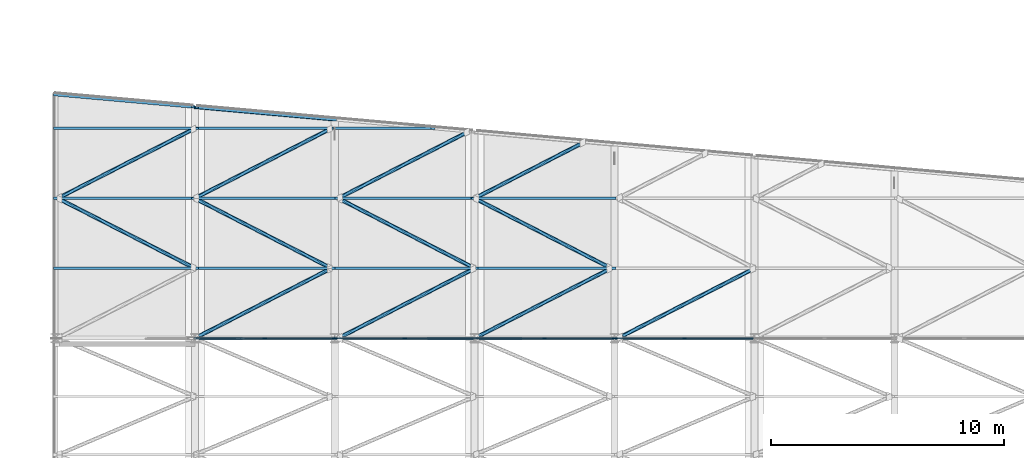
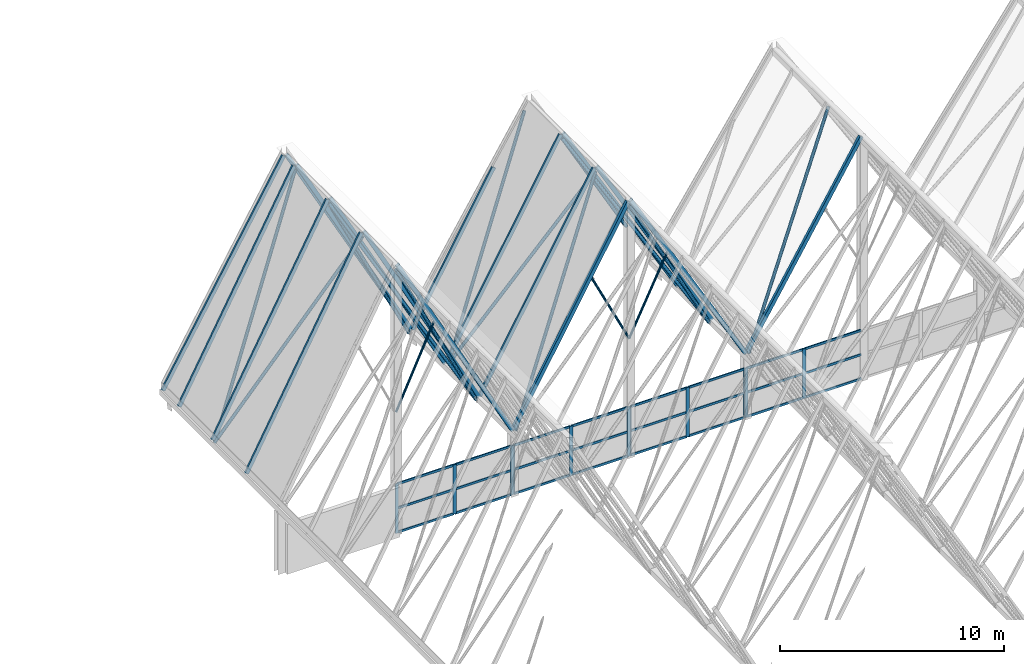
# One storey, part 20 of 483: 61 members, 6 beams, 4 elements without a shape of their own.
"""IFC4 building model written with IfcOpenShell, lengths in metres."""

import ifcopenshell
import ifcopenshell.guid

model = None  # the IFC model being written
_history = None  # IfcOwnerHistory: only IFC2X3 demands one
_inside = {}  # id of a spatial element -> (the spatial element, [elements in it])
_under = {}  # id of a project, library or spatial element -> (it, [spatial elements below it])
_declared = {}  # id of a project -> (the project, [libraries it declares])
_typed = {}  # id of a type object -> (the type object, [elements of that type])
_made_of = {}  # id of a material, layer set ... -> (it, [elements and type objects made of it])


def new_model(schema):
    """Start an empty IFC model of exactly this schema.

    Asked for "IFC4X3", IfcOpenShell would pick the latest addendum, in which some entities
    have other attributes; the version numbers below select the first issue.
    IFC2X3 requires an IfcOwnerHistory on every rooted entity: one is made here for all.
    """
    global model, _history
    if schema == "IFC4X3":
        model = ifcopenshell.file(schema_version=(4, 3, 0, 0))
    else:
        model = ifcopenshell.file(schema=schema)
    _inside.clear()
    _under.clear()
    _declared.clear()
    _typed.clear()
    _made_of.clear()
    _history = None
    if model.schema == "IFC2X3":
        org = make("IfcOrganization", Name="unknown")
        user = make(
            "IfcPersonAndOrganization",
            ThePerson=make("IfcPerson", FamilyName="unknown"),
            TheOrganization=org,
        )
        app = make(
            "IfcApplication",
            ApplicationDeveloper=org,
            Version="unknown",
            ApplicationFullName="unknown",
            ApplicationIdentifier="unknown",
        )
        _history = make(
            "IfcOwnerHistory",
            OwningUser=user,
            OwningApplication=app,
            ChangeAction="ADDED",
            CreationDate=0,
        )
    return model


def make(cls, **values):
    """One entity of the class cls with the attributes given. An attribute that is None is left unset."""
    return model.create_entity(
        cls, **{name: value for name, value in values.items() if value is not None}
    )


def rooted(cls, **values):
    """An entity with a GlobalId (a new one), such as an element, a storey or a relation."""
    return make(cls, GlobalId=ifcopenshell.guid.new(), OwnerHistory=_history, **values)


def si_unit(unit_type, name, prefix=None):
    """IfcSIUnit, for example si_unit("LENGTHUNIT", "METRE", prefix="MILLI")."""
    return make("IfcSIUnit", UnitType=unit_type, Prefix=prefix, Name=name)


def assignment(units):
    """IfcUnitAssignment: the units of a project."""
    return None if units is None else make("IfcUnitAssignment", Units=units)


def point(xyz):
    """IfcCartesianPoint."""
    return None if xyz is None else make("IfcCartesianPoint", Coordinates=xyz)


def direction(xyz):
    """IfcDirection."""
    return None if xyz is None else make("IfcDirection", DirectionRatios=xyz)


def frame(location, z_axis=None, x_axis=None):
    """IfcAxis2Placement3D, a coordinate frame: its origin and axes. An axis left out is left unset."""
    return make(
        "IfcAxis2Placement3D",
        Location=point(location),
        Axis=direction(z_axis),
        RefDirection=direction(x_axis),
    )


def frame_2d(location, x_axis=None):
    """IfcAxis2Placement2D, a coordinate frame in the plane: its origin and x axis."""
    return make(
        "IfcAxis2Placement2D", Location=point(location), RefDirection=direction(x_axis)
    )


def origin():
    """The frame at (0, 0, 0) with its axes left unset."""
    return frame((0.0, 0.0, 0.0))


def origin_2d():
    """The frame at (0, 0) in the plane with its x axis left unset."""
    return frame_2d((0.0, 0.0))


def place(relative_to, where):
    """IfcLocalPlacement: puts the frame where relative to a parent placement (None: the world)."""
    return make(
        "IfcLocalPlacement", PlacementRelTo=relative_to, RelativePlacement=where
    )


def context(
    kind, dimensions, precision=None, world=None, true_north=None, identifier=None
):
    """IfcGeometricRepresentationContext, for example the 3D "Model" context."""
    return make(
        "IfcGeometricRepresentationContext",
        ContextIdentifier=identifier,
        ContextType=kind,
        CoordinateSpaceDimension=dimensions,
        Precision=precision,
        WorldCoordinateSystem=world,
        TrueNorth=true_north,
    )


def subcontext(parent, identifier, kind, view, scale=None):
    """IfcGeometricRepresentationSubContext, for example "Body" below "Model"."""
    return make(
        "IfcGeometricRepresentationSubContext",
        ContextIdentifier=identifier,
        ContextType=kind,
        ParentContext=parent,
        TargetScale=scale,
        TargetView=view,
    )


def project(units=None, contexts=None):
    """IfcProject with its units and contexts."""
    return rooted(
        "IfcProject",
        Name="project",
        RepresentationContexts=contexts,
        UnitsInContext=assignment(units),
    )


def spatial(cls, under=None, at=None, **own):
    """A site, building, storey or space (cls), placed at a placement, below another one or the project."""
    s = rooted(cls, ObjectPlacement=at, **own)
    if under is not None:
        _under.setdefault(under.id(), (under, []))[1].append(s)
    return s


def profile(cls, at=None, kind="AREA", **sizes):
    """A parametric profile (cls). Its sizes go by their IFC names, for example OverallWidth=200.0."""
    return make(cls, ProfileType=kind, Position=at, **sizes)


def rectangle(**sizes):
    """IfcRectangleProfileDef."""
    return profile("IfcRectangleProfileDef", **sizes)


def hollow_rectangle(**sizes):
    """IfcRectangleHollowProfileDef."""
    return profile("IfcRectangleHollowProfileDef", **sizes)


def hollow_circle(**sizes):
    """IfcCircleHollowProfileDef."""
    return profile("IfcCircleHollowProfileDef", **sizes)


def extrude(swept, where, along, depth):
    """IfcExtrudedAreaSolid: the profile swept, set in the frame where, extruded along a direction by depth."""
    return make(
        "IfcExtrudedAreaSolid",
        SweptArea=swept,
        Position=where,
        ExtrudedDirection=direction(along),
        Depth=depth,
    )


def shape(context_of_items, identifier, shape_type, items):
    """IfcShapeRepresentation: the items that make up one representation, for example the "Body"."""
    return make(
        "IfcShapeRepresentation",
        ContextOfItems=context_of_items,
        RepresentationIdentifier=identifier,
        RepresentationType=shape_type,
        Items=items,
    )


def material(Name=None, Category=None):
    """IfcMaterial."""
    return make("IfcMaterial", Name=Name, Category=Category)


def material_profile(
    of_material, cross_section, Name=None, Category=None, Priority=None
):
    """IfcMaterialProfile: a cross section and its material."""
    return make(
        "IfcMaterialProfile",
        Name=Name,
        Material=of_material,
        Profile=cross_section,
        Priority=Priority,
        Category=Category,
    )


def profile_set(profiles, Name=None, composite=None):
    """IfcMaterialProfileSet."""
    return make(
        "IfcMaterialProfileSet",
        Name=Name,
        MaterialProfiles=profiles,
        CompositeProfile=composite,
    )


def made_of(thing, what):
    """Note that an element or type object is made of a material, layer set ...; save() writes the relation."""
    if what is not None:
        _made_of.setdefault(what.id(), (what, []))[1].append(thing)
    return thing


def type_object(cls, material=None, **own):
    """A type object (cls), such as IfcWallType, which elements share."""
    return made_of(rooted(cls, **own), material)


def element(
    cls,
    number,
    at=None,
    inside=None,
    cuts=None,
    type_object=None,
    material=None,
    context=None,
    identifier="Body",
    shape_type=None,
    held_by="IfcProductDefinitionShape",
    body=None,
    shapes=None,
    **own,
):
    """One element of the class cls, such as IfcWall. Its Tag is "e" and its number.

    at: its placement. inside: the storey or other place that contains it. cuts: it is an
    opening in that element (IfcRelVoidsElement). A single representation is given by context,
    identifier, shape_type and body (its items); several are given by shapes. held_by: the class
    of the entity that holds the representations. save() writes the other relations.
    """
    e = rooted(cls, Tag="e%d" % number, ObjectPlacement=at, **own)
    if body is not None:
        shapes = [shape(context, identifier, shape_type, body)]
    if shapes is not None:
        e.Representation = make(held_by, Representations=shapes)
    if inside is not None:
        _inside.setdefault(inside.id(), (inside, []))[1].append(e)
    if cuts is not None:
        rooted(
            "IfcRelVoidsElement", RelatingBuildingElement=cuts, RelatedOpeningElement=e
        )
    if type_object is not None:
        _typed.setdefault(type_object.id(), (type_object, []))[1].append(e)
    return made_of(e, material)


def aggregate(whole, parts):
    """IfcRelAggregates: a whole, such as a stair, and the parts it consists of."""
    return rooted("IfcRelAggregates", RelatingObject=whole, RelatedObjects=parts)


def save(model, path):
    """Write the relations noted so far, then the file.

    IfcRelAggregates (storeys below a building ...), IfcRelContainedInSpatialStructure (elements
    in a storey), IfcRelDefinesByType, IfcRelAssociatesMaterial and IfcRelDeclares: one each for
    every whole, place, type object, material and project.
    """
    for whole, parts in _under.values():
        aggregate(whole, parts)
    for where, things in _inside.values():
        rooted(
            "IfcRelContainedInSpatialStructure",
            RelatedElements=things,
            RelatingStructure=where,
        )
    for kind, things in _typed.values():
        rooted("IfcRelDefinesByType", RelatedObjects=things, RelatingType=kind)
    for what, things in _made_of.values():
        rooted("IfcRelAssociatesMaterial", RelatedObjects=things, RelatingMaterial=what)
    for by, libraries in _declared.values():
        rooted("IfcRelDeclares", RelatingContext=by, RelatedDefinitions=libraries)
    model.write(path)


model = new_model("IFC4")

# Units and contexts
model_context = context("Model", 3, precision=1e-05, world=origin(), true_north=direction((0.0, 1.0)))
body_context = subcontext(model_context, "Body", "Model", "MODEL_VIEW")
ifc_project = project(units=[si_unit("LENGTHUNIT", "METRE"), si_unit("AREAUNIT", "SQUARE_METRE"), si_unit("VOLUMEUNIT", "CUBIC_METRE"), si_unit("PLANEANGLEUNIT", "RADIAN"), si_unit("MASSUNIT", "GRAM", prefix="KILO")], contexts=[model_context])

# Site, building, storey
site_placement = place(None, origin())
site = spatial("IfcSite", under=ifc_project, at=site_placement, CompositionType="ELEMENT")
building_placement = place(site_placement, origin())
building = spatial("IfcBuilding", under=site, at=building_placement, Name="Parallax Yard Mobility Hub", CompositionType="ELEMENT")
storey_placement = place(building_placement, frame((0.0, 0.0, 13.199951171875)))
storey = spatial("IfcBuildingStorey", under=building, at=storey_placement, Name="L04", CompositionType="ELEMENT", Elevation=13.199951171875)

# Members
ifc_material_1 = material(Name="Steel ASTM A500 Gr C", Category="steel")
ifc_material_profile_1 = material_profile(ifc_material_1, hollow_circle(Radius=0.05712890625, WallThickness=0.006103515625, at=origin_2d()), Name="HSS114.3x6.0")
ifc_profile_set_1 = profile_set([ifc_material_profile_1], Name="Steel ASTM A500 Gr C")
member_type_1 = type_object("IfcMemberType", Name="Knee brace HSS114.3x6.0", PredefinedType="BRACE", material=ifc_profile_set_1)
member_1_placement = place(storey_placement, frame((15.0, 52.5, 6.60009765625), z_axis=(0.41704909063, 0.0, 0.908883961793), x_axis=(0.0, 1.0, 0.0)))
element("IfcMember", 1, at=member_1_placement, inside=storey, type_object=member_type_1, Name="Gable knee brace F2 north east", PredefinedType="BRACE", context=body_context, shape_type="SweptSolid", body=[
    extrude(hollow_circle(Radius=0.05712890625, WallThickness=0.006103515625, at=origin_2d()), origin(), (0.0, 0.0, 1.0), 4.795654296875),
])
for number, where, z_axis, x_axis, name in (
    (2, (27.0, 52.5, 6.39990234375), (-0.437594130346, 0.0, 0.899172606948), (0.0, -1.0, 0.0), "Gable knee brace F4 north west"),
    (3, (27.0, 52.5, 6.39990234375), (0.437594130346, 0.0, 0.899172606948), (0.0, 1.0, 0.0), "Gable knee brace F4 north east"),
):
    element("IfcMember", number, at=place(storey_placement, frame(where, z_axis=z_axis, x_axis=x_axis)), inside=storey, type_object=member_type_1, Name=name, PredefinedType="BRACE", context=body_context, shape_type="SweptSolid", body=[
        extrude(hollow_circle(Radius=0.05712890625, WallThickness=0.006103515625, at=origin_2d()), origin(), (0.0, 0.0, 1.0), 4.570556640625),
    ])

# Curtain wall, members
ifc_material_2 = material(Name="Thermally broken aluminium curtain wall system", Category="aluminium")
curtain_wall_type = type_object("IfcCurtainWallType", Name="Curtain wall run 60 x 160 frame", PredefinedType="NOTDEFINED", material=ifc_material_2)
curtain_wall_1_placement = place(storey_placement, origin())
curtain_wall_1 = element("IfcCurtainWall", 4, at=curtain_wall_1_placement, inside=storey, type_object=curtain_wall_type, Name="Glazed gable end Bus and taxi deck north gable bay 2 level L04", PredefinedType="NOTDEFINED")
ifc_material_3 = material(Name="Extruded aluminium", Category="aluminium")
ifc_material_profile_2 = material_profile(ifc_material_3, rectangle(XDim=0.06005859375, YDim=0.159912109375, at=origin_2d()), Name="Mullion 60 x 160")
ifc_profile_set_2 = profile_set([ifc_material_profile_2], Name="Extruded aluminium")
member_type_2 = type_object("IfcMemberType", Name="Mullion 60 x 160", PredefinedType="MULLION", material=ifc_profile_set_2)
member_2_placement = place(storey_placement, frame((15.030029296875, 52.5, 0.0), z_axis=(0.0, 0.0, 1.0), x_axis=(0.0, 1.0, 0.0)))
member_2 = element("IfcMember", 5, at=member_2_placement, type_object=member_type_2, Name="CW1 mullion 1", PredefinedType="MULLION", context=body_context, shape_type="SweptSolid", body=[
    extrude(rectangle(XDim=0.06005859375, YDim=0.159912109375, at=origin_2d()), origin(), (0.0, 0.0, 1.0), 2.68994140625),
])
member_3_placement = place(storey_placement, frame((18.0, 52.5, 0.0), z_axis=(0.0, 0.0, 1.0), x_axis=(0.0, 1.0, 0.0)))
member_3 = element("IfcMember", 6, at=member_3_placement, type_object=member_type_2, Name="CW1 mullion 2", PredefinedType="MULLION", context=body_context, shape_type="SweptSolid", body=[
    extrude(rectangle(XDim=0.06005859375, YDim=0.159912109375, at=origin_2d()), origin(), (0.0, 0.0, 1.0), 2.68994140625),
])
member_4_placement = place(storey_placement, frame((20.969970703125, 52.5, 0.0), z_axis=(0.0, 0.0, 1.0), x_axis=(0.0, 1.0, 0.0)))
member_4 = element("IfcMember", 7, at=member_4_placement, type_object=member_type_2, Name="CW1 mullion 3", PredefinedType="MULLION", context=body_context, shape_type="SweptSolid", body=[
    extrude(rectangle(XDim=0.06005859375, YDim=0.159912109375, at=origin_2d()), origin(), (0.0, 0.0, 1.0), 2.68994140625),
])

curtain_wall_2_placement = place(storey_placement, origin())
curtain_wall_2 = element("IfcCurtainWall", 8, at=curtain_wall_2_placement, inside=storey, type_object=curtain_wall_type, Name="Glazed gable end Bus and taxi deck north gable bay 3 level L04", PredefinedType="NOTDEFINED")
member_5_placement = place(storey_placement, frame((21.030029296875, 52.5, 0.0), z_axis=(0.0, 0.0, 1.0), x_axis=(0.0, 1.0, 0.0)))
member_5 = element("IfcMember", 9, at=member_5_placement, type_object=member_type_2, Name="CW1 mullion 1", PredefinedType="MULLION", context=body_context, shape_type="SweptSolid", body=[
    extrude(rectangle(XDim=0.06005859375, YDim=0.159912109375, at=origin_2d()), origin(), (0.0, 0.0, 1.0), 2.68994140625),
])
member_6_placement = place(storey_placement, frame((24.0, 52.5, 0.0), z_axis=(0.0, 0.0, 1.0), x_axis=(0.0, 1.0, 0.0)))
member_6 = element("IfcMember", 10, at=member_6_placement, type_object=member_type_2, Name="CW1 mullion 2", PredefinedType="MULLION", context=body_context, shape_type="SweptSolid", body=[
    extrude(rectangle(XDim=0.06005859375, YDim=0.159912109375, at=origin_2d()), origin(), (0.0, 0.0, 1.0), 2.68994140625),
])
member_7_placement = place(storey_placement, frame((26.969970703125, 52.5, 0.0), z_axis=(0.0, 0.0, 1.0), x_axis=(0.0, 1.0, 0.0)))
member_7 = element("IfcMember", 11, at=member_7_placement, type_object=member_type_2, Name="CW1 mullion 3", PredefinedType="MULLION", context=body_context, shape_type="SweptSolid", body=[
    extrude(rectangle(XDim=0.06005859375, YDim=0.159912109375, at=origin_2d()), origin(), (0.0, 0.0, 1.0), 2.68994140625),
])

curtain_wall_3_placement = place(storey_placement, origin())
curtain_wall_3 = element("IfcCurtainWall", 12, at=curtain_wall_3_placement, inside=storey, type_object=curtain_wall_type, Name="Glazed gable end Bus and taxi deck north gable bay 4 level L04", PredefinedType="NOTDEFINED")
member_8_placement = place(storey_placement, frame((27.030029296875, 52.5, 0.0), z_axis=(0.0, 0.0, 1.0), x_axis=(0.0, 1.0, 0.0)))
member_8 = element("IfcMember", 13, at=member_8_placement, type_object=member_type_2, Name="CW1 mullion 1", PredefinedType="MULLION", context=body_context, shape_type="SweptSolid", body=[
    extrude(rectangle(XDim=0.06005859375, YDim=0.159912109375, at=origin_2d()), origin(), (0.0, 0.0, 1.0), 2.68994140625),
])
member_9_placement = place(storey_placement, frame((30.0, 52.5, 0.0), z_axis=(0.0, 0.0, 1.0), x_axis=(0.0, 1.0, 0.0)))
member_9 = element("IfcMember", 14, at=member_9_placement, type_object=member_type_2, Name="CW1 mullion 2", PredefinedType="MULLION", context=body_context, shape_type="SweptSolid", body=[
    extrude(rectangle(XDim=0.06005859375, YDim=0.159912109375, at=origin_2d()), origin(), (0.0, 0.0, 1.0), 2.68994140625),
])
member_10_placement = place(storey_placement, frame((32.969970703125, 52.5, 0.0), z_axis=(0.0, 0.0, 1.0), x_axis=(0.0, 1.0, 0.0)))
member_10 = element("IfcMember", 15, at=member_10_placement, type_object=member_type_2, Name="CW1 mullion 3", PredefinedType="MULLION", context=body_context, shape_type="SweptSolid", body=[
    extrude(rectangle(XDim=0.06005859375, YDim=0.159912109375, at=origin_2d()), origin(), (0.0, 0.0, 1.0), 2.68994140625),
])

curtain_wall_4_placement = place(storey_placement, origin())
curtain_wall_4 = element("IfcCurtainWall", 16, at=curtain_wall_4_placement, inside=storey, type_object=curtain_wall_type, Name="Glazed gable end Bus and taxi deck north gable bay 5 level L04", PredefinedType="NOTDEFINED")
member_11_placement = place(storey_placement, frame((33.030029296875, 52.5, 0.0), z_axis=(0.0, 0.0, 1.0), x_axis=(0.0, 1.0, 0.0)))
member_11 = element("IfcMember", 17, at=member_11_placement, type_object=member_type_2, Name="CW1 mullion 1", PredefinedType="MULLION", context=body_context, shape_type="SweptSolid", body=[
    extrude(rectangle(XDim=0.06005859375, YDim=0.159912109375, at=origin_2d()), origin(), (0.0, 0.0, 1.0), 2.68994140625),
])
member_12_placement = place(storey_placement, frame((36.0, 52.5, 0.0), z_axis=(0.0, 0.0, 1.0), x_axis=(0.0, 1.0, 0.0)))
member_12 = element("IfcMember", 18, at=member_12_placement, type_object=member_type_2, Name="CW1 mullion 2", PredefinedType="MULLION", context=body_context, shape_type="SweptSolid", body=[
    extrude(rectangle(XDim=0.06005859375, YDim=0.159912109375, at=origin_2d()), origin(), (0.0, 0.0, 1.0), 2.68994140625),
])

# Members
ifc_material_profile_3 = material_profile(ifc_material_1, hollow_circle(Radius=0.084228515625, WallThickness=0.007080078125, at=origin_2d()), Name="HSS168.3x7.1")
ifc_profile_set_3 = profile_set([ifc_material_profile_3], Name="Steel ASTM A500 Gr C")
member_type_3 = type_object("IfcMemberType", Name="Plate diagonal HSS168.3x7.1", PredefinedType="BRACE", material=ifc_profile_set_3)
member_13_placement = place(storey_placement, frame((27.0, 52.5, 13.671630859375), z_axis=(0.47998924985, 0.246246989903, -0.842005190003), x_axis=(-0.456461439155, 0.889743195852, 0.0)))
element("IfcMember", 19, at=member_13_placement, inside=storey, type_object=member_type_3, Name="Plate diagonal plate F4-F5 bay 19", PredefinedType="BRACE", context=body_context, shape_type="SweptSolid", body=[
    extrude(hollow_circle(Radius=0.084228515625, WallThickness=0.007080078125, at=origin_2d()), origin(), (0.0, 0.0, 1.0), 12.182861328125),
])
member_14_placement = place(storey_placement, frame((33.15234375, 52.5, 3.4130859375), z_axis=(0.502552436924, 0.25782249269, 0.825208222454), x_axis=(-0.456461439155, 0.889743195852, 0.0)))
element("IfcMember", 20, at=member_14_placement, inside=storey, type_object=member_type_3, Name="Plate diagonal plate F5-F6 bay 19", PredefinedType="BRACE", context=body_context, shape_type="SweptSolid", body=[
    extrude(hollow_circle(Radius=0.084228515625, WallThickness=0.007080078125, at=origin_2d()), origin(), (0.0, 0.0, 1.0), 11.635986328125),
])
member_15_placement = place(storey_placement, frame((15.0, 52.5, 14.328857421875), z_axis=(0.458963566653, 0.235460266659, -0.856686002751), x_axis=(-0.456461439155, 0.889743195852, 0.0)))
element("IfcMember", 21, at=member_15_placement, inside=storey, type_object=member_type_3, Name="Plate diagonal plate F2-F3 bay 19", PredefinedType="BRACE", context=body_context, shape_type="SweptSolid", body=[
    extrude(hollow_circle(Radius=0.084228515625, WallThickness=0.007080078125, at=origin_2d()), origin(), (0.0, 0.0, 1.0), 12.740966796875),
])
for number, where, z_axis, x_axis, name in (
    (22, (21.15234375, 52.5, 3.41357421875), (0.47998924985, 0.246246989903, 0.842005190003), (-0.456461439155, 0.889743195852, 0.0), "Plate diagonal plate F3-F4 bay 19"),
    (23, (32.84765625, 55.5, 3.41357421875), (-0.47998924985, 0.246246989903, 0.842005190003), (-0.456461439155, -0.889743195852, 0.0), "Plate diagonal plate F4-F5 bay 20"),
):
    element("IfcMember", number, at=place(storey_placement, frame(where, z_axis=z_axis, x_axis=x_axis)), inside=storey, type_object=member_type_3, Name=name, PredefinedType="BRACE", context=body_context, shape_type="SweptSolid", body=[
        extrude(hollow_circle(Radius=0.084228515625, WallThickness=0.007080078125, at=origin_2d()), origin(), (0.0, 0.0, 1.0), 12.182861328125),
    ])
member_16_placement = place(storey_placement, frame((15.0, 55.5, 14.328857421875), z_axis=(-0.459074298738, 0.234498876908, -0.856890345941), x_axis=(-0.454897103972, -0.890544004976, 0.0)))
element("IfcMember", 24, at=member_16_placement, inside=storey, type_object=member_type_3, Name="Plate diagonal plate F1-F2 bay 20", PredefinedType="BRACE", context=body_context, shape_type="SweptSolid", body=[
    extrude(hollow_circle(Radius=0.084228515625, WallThickness=0.007080078125, at=origin_2d()), origin(), (0.0, 0.0, 1.0), 12.793212890625),
])
member_17_placement = place(storey_placement, frame((20.84765625, 55.5, 3.413818359375), z_axis=(-0.458963566653, 0.235460266659, 0.856686002751), x_axis=(-0.456461439155, -0.889743195852, 0.0)))
element("IfcMember", 25, at=member_17_placement, inside=storey, type_object=member_type_3, Name="Plate diagonal plate F2-F3 bay 20", PredefinedType="BRACE", context=body_context, shape_type="SweptSolid", body=[
    extrude(hollow_circle(Radius=0.084228515625, WallThickness=0.007080078125, at=origin_2d()), origin(), (0.0, 0.0, 1.0), 12.740966796875),
])
member_18_placement = place(storey_placement, frame((27.0, 55.5, 13.671630859375), z_axis=(-0.47998924985, 0.246246989903, -0.842005190003), x_axis=(-0.456461439155, -0.889743195852, 0.0)))
element("IfcMember", 26, at=member_18_placement, inside=storey, type_object=member_type_3, Name="Plate diagonal plate F3-F4 bay 20", PredefinedType="BRACE", context=body_context, shape_type="SweptSolid", body=[
    extrude(hollow_circle(Radius=0.084228515625, WallThickness=0.007080078125, at=origin_2d()), origin(), (0.0, 0.0, 1.0), 12.182861328125),
])
member_19_placement = place(storey_placement, frame((27.0, 58.5, 13.671630859375), z_axis=(0.494622037095, 0.253742517135, -0.831242308486), x_axis=(-0.456445099779, 0.889751578188, 0.0)))
element("IfcMember", 27, at=member_19_placement, inside=storey, type_object=member_type_3, Name="Plate diagonal plate F4-F5 bay 21", PredefinedType="BRACE", context=body_context, shape_type="SweptSolid", body=[
    extrude(hollow_circle(Radius=0.084228515625, WallThickness=0.007080078125, at=origin_2d()), origin(), (0.0, 0.0, 1.0), 9.509033203125),
])
member_20_placement = place(storey_placement, frame((9.126953125, 58.5, 3.366455078125), z_axis=(0.459074298738, 0.234498876908, 0.856890345941), x_axis=(-0.454897103972, 0.890544004976, 0.0)))
element("IfcMember", 28, at=member_20_placement, inside=storey, type_object=member_type_3, Name="Plate diagonal plate F1-F2 bay 21", PredefinedType="BRACE", context=body_context, shape_type="SweptSolid", body=[
    extrude(hollow_circle(Radius=0.084228515625, WallThickness=0.007080078125, at=origin_2d()), origin(), (0.0, 0.0, 1.0), 12.793212890625),
])
member_21_placement = place(storey_placement, frame((15.0, 58.5, 14.328857421875), z_axis=(0.458963566653, 0.235460266659, -0.856686002751), x_axis=(-0.456461439155, 0.889743195852, 0.0)))
element("IfcMember", 29, at=member_21_placement, inside=storey, type_object=member_type_3, Name="Plate diagonal plate F2-F3 bay 21", PredefinedType="BRACE", context=body_context, shape_type="SweptSolid", body=[
    extrude(hollow_circle(Radius=0.084228515625, WallThickness=0.007080078125, at=origin_2d()), origin(), (0.0, 0.0, 1.0), 12.740966796875),
])
member_22_placement = place(storey_placement, frame((21.15234375, 58.5, 3.41357421875), z_axis=(0.46815681833, 0.240183018126, 0.850377158239), x_axis=(-0.456471028768, 0.889738276065, 0.0)))
element("IfcMember", 30, at=member_22_placement, inside=storey, type_object=member_type_3, Name="Plate diagonal plate F3-F4 bay 21", PredefinedType="BRACE", context=body_context, shape_type="SweptSolid", body=[
    extrude(hollow_circle(Radius=0.084228515625, WallThickness=0.007080078125, at=origin_2d()), origin(), (0.0, 0.0, 1.0), 11.89794921875),
])

# Beams
ifc_material_profile_4 = material_profile(ifc_material_1, hollow_rectangle(XDim=0.1015625, YDim=0.203125, WallThickness=0.00634765625, at=origin_2d()), Name="HSS203x102x6.4")
ifc_profile_set_4 = profile_set([ifc_material_profile_4], Name="Steel ASTM A500 Gr C")
beam_type_1 = type_object("IfcBeamType", Name="Roof edge beam HSS203x102x6.4", PredefinedType="SPANDREL", material=ifc_profile_set_4)
for number, where, z_axis, x_axis, name in (
    (31, (9.01953125, 62.9462890625, 3.529052734375), (0.471827659391, -0.04212364598, 0.880683971856), (0.019885874727, 0.999112405282, 0.037134264473), "Edge beam plate F1-F2 north prow edge"),
    (32, (15.062744140625, 62.390625, 14.57470703125), (0.471827659391, -0.04212364598, -0.880683971856), (0.019885874727, 0.999112405282, -0.037134264473), "Edge beam plate F2-F3 north prow edge"),
):
    element("IfcBeam", number, at=place(storey_placement, frame(where, z_axis=z_axis, x_axis=x_axis)), inside=storey, type_object=beam_type_1, Name=name, PredefinedType="SPANDREL", context=body_context, shape_type="SweptSolid", body=[
        extrude(hollow_rectangle(XDim=0.1015625, YDim=0.203125, WallThickness=0.00634765625, at=origin_2d()), origin(), (0.0, 0.0, 1.0), 12.542236328125),
    ])
ifc_material_profile_5 = material_profile(ifc_material_1, hollow_rectangle(XDim=0.15234375, YDim=0.203125, WallThickness=0.009521484375, at=origin_2d()), Name="HSS203x152x9.5")
ifc_profile_set_5 = profile_set([ifc_material_profile_5], Name="Steel ASTM A500 Gr C")
beam_type_2 = type_object("IfcBeamType", Name="Roof edge beam HSS203x152x9.5", PredefinedType="SPANDREL", material=ifc_profile_set_5)
beam_1_placement = place(storey_placement, frame((27.064208984375, 52.5, 13.905517578125), z_axis=(0.495218927733, 0.0, -0.868768216278), x_axis=(0.0, 1.0, 0.0)))
element("IfcBeam", 33, at=beam_1_placement, inside=storey, type_object=beam_type_2, Name="Edge beam plate F4-F5 north gable", PredefinedType="SPANDREL", context=body_context, shape_type="SweptSolid", body=[
    extrude(hollow_rectangle(XDim=0.15234375, YDim=0.203125, WallThickness=0.009521484375, at=origin_2d()), origin(), (0.0, 0.0, 1.0), 11.94921875),
])
beam_2_placement = place(storey_placement, frame((33.016845703125, 52.5, 3.52001953125), z_axis=(0.520123935721, 0.0, 0.854090798153), x_axis=(0.0, 1.0, 0.0)))
element("IfcBeam", 34, at=beam_2_placement, inside=storey, type_object=beam_type_2, Name="Edge beam plate F5-F6 north gable", PredefinedType="SPANDREL", context=body_context, shape_type="SweptSolid", body=[
    extrude(hollow_rectangle(XDim=0.15234375, YDim=0.203125, WallThickness=0.009521484375, at=origin_2d()), origin(), (0.0, 0.0, 1.0), 11.376953125),
])
beam_3_placement = place(storey_placement, frame((15.062744140625, 52.5, 14.57470703125), z_axis=(0.472246823162, 0.0, -0.881466356711), x_axis=(0.0, 1.0, 0.0)))
element("IfcBeam", 35, at=beam_3_placement, inside=storey, type_object=beam_type_2, Name="Edge beam plate F2-F3 north gable", PredefinedType="SPANDREL", context=body_context, shape_type="SweptSolid", body=[
    extrude(hollow_rectangle(XDim=0.15234375, YDim=0.203125, WallThickness=0.009521484375, at=origin_2d()), origin(), (0.0, 0.0, 1.0), 12.531005859375),
])
beam_4_placement = place(storey_placement, frame((21.018310546875, 52.5, 3.5244140625), z_axis=(0.495218927733, 0.0, 0.868768216278), x_axis=(0.0, 1.0, 0.0)))
element("IfcBeam", 36, at=beam_4_placement, inside=storey, type_object=beam_type_2, Name="Edge beam plate F3-F4 north gable", PredefinedType="SPANDREL", context=body_context, shape_type="SweptSolid", body=[
    extrude(hollow_rectangle(XDim=0.15234375, YDim=0.203125, WallThickness=0.009521484375, at=origin_2d()), origin(), (0.0, 0.0, 1.0), 11.94921875),
])

# Members
ifc_material_profile_6 = material_profile(ifc_material_1, hollow_rectangle(XDim=0.1015625, YDim=0.203125, WallThickness=0.00634765625, at=origin_2d()), Name="HSS203x102x6.4")
ifc_profile_set_6 = profile_set([ifc_material_profile_6], Name="Steel ASTM A500 Gr C")
member_type_4 = type_object("IfcMemberType", Name="Roof rafter HSS203x102x6.4", PredefinedType="RAFTER", material=ifc_profile_set_6)
for number, where, z_axis, x_axis, name in (
    (37, (9.01953125, 55.5, 3.529052734375), (0.472246823162, 0.0, 0.881466356711), (0.0, 1.0, 0.0), "Roof rafter plate F1-F2 at y 55.5"),
    (38, (15.062744140625, 55.5, 14.57470703125), (0.472246823162, 0.0, -0.881466356711), (0.0, 1.0, 0.0), "Roof rafter plate F2-F3 at y 55.5"),
):
    element("IfcMember", number, at=place(storey_placement, frame(where, z_axis=z_axis, x_axis=x_axis)), inside=storey, type_object=member_type_4, Name=name, PredefinedType="RAFTER", context=body_context, shape_type="SweptSolid", body=[
        extrude(hollow_rectangle(XDim=0.1015625, YDim=0.203125, WallThickness=0.00634765625, at=origin_2d()), origin(), (0.0, 0.0, 1.0), 12.531005859375),
    ])
for number, where, z_axis, x_axis, name in (
    (39, (21.018310546875, 55.5, 3.5244140625), (0.495218927733, 0.0, 0.868768216278), (0.0, 1.0, 0.0), "Roof rafter plate F3-F4 at y 55.5"),
    (40, (27.064208984375, 55.5, 13.905517578125), (0.495218927733, 0.0, -0.868768216278), (0.0, 1.0, 0.0), "Roof rafter plate F4-F5 at y 55.5"),
):
    element("IfcMember", number, at=place(storey_placement, frame(where, z_axis=z_axis, x_axis=x_axis)), inside=storey, type_object=member_type_4, Name=name, PredefinedType="RAFTER", context=body_context, shape_type="SweptSolid", body=[
        extrude(hollow_rectangle(XDim=0.1015625, YDim=0.203125, WallThickness=0.00634765625, at=origin_2d()), origin(), (0.0, 0.0, 1.0), 11.94921875),
    ])
for number, where, z_axis, x_axis, name in (
    (41, (9.01953125, 58.5, 3.529052734375), (0.472246823162, 0.0, 0.881466356711), (0.0, 1.0, 0.0), "Roof rafter plate F1-F2 at y 58.5"),
    (42, (15.062744140625, 58.5, 14.57470703125), (0.472246823162, 0.0, -0.881466356711), (0.0, 1.0, 0.0), "Roof rafter plate F2-F3 at y 58.5"),
):
    element("IfcMember", number, at=place(storey_placement, frame(where, z_axis=z_axis, x_axis=x_axis)), inside=storey, type_object=member_type_4, Name=name, PredefinedType="RAFTER", context=body_context, shape_type="SweptSolid", body=[
        extrude(hollow_rectangle(XDim=0.1015625, YDim=0.203125, WallThickness=0.00634765625, at=origin_2d()), origin(), (0.0, 0.0, 1.0), 12.531005859375),
    ])
for number, where, z_axis, x_axis, name in (
    (43, (21.018310546875, 58.5, 3.5244140625), (0.495218927733, 0.0, 0.868768216278), (0.0, 1.0, 0.0), "Roof rafter plate F3-F4 at y 58.5"),
    (44, (27.064208984375, 58.5, 13.905517578125), (0.495218927733, 0.0, -0.868768216278), (0.0, 1.0, 0.0), "Roof rafter plate F4-F5 at y 58.5"),
):
    element("IfcMember", number, at=place(storey_placement, frame(where, z_axis=z_axis, x_axis=x_axis)), inside=storey, type_object=member_type_4, Name=name, PredefinedType="RAFTER", context=body_context, shape_type="SweptSolid", body=[
        extrude(hollow_rectangle(XDim=0.1015625, YDim=0.203125, WallThickness=0.00634765625, at=origin_2d()), origin(), (0.0, 0.0, 1.0), 11.94921875),
    ])
for number, where, z_axis, x_axis, name in (
    (45, (9.01953125, 61.5, 3.529052734375), (0.472246823162, 0.0, 0.881466356711), (0.0, 1.0, 0.0), "Roof rafter plate F1-F2 at y 61.5"),
    (46, (15.062744140625, 61.5, 14.57470703125), (0.472246823162, 0.0, -0.881466356711), (0.0, 1.0, 0.0), "Roof rafter plate F2-F3 at y 61.5"),
):
    element("IfcMember", number, at=place(storey_placement, frame(where, z_axis=z_axis, x_axis=x_axis)), inside=storey, type_object=member_type_4, Name=name, PredefinedType="RAFTER", context=body_context, shape_type="SweptSolid", body=[
        extrude(hollow_rectangle(XDim=0.1015625, YDim=0.203125, WallThickness=0.00634765625, at=origin_2d()), origin(), (0.0, 0.0, 1.0), 12.531005859375),
    ])
member_23_placement = place(storey_placement, frame((21.018310546875, 61.5, 3.5244140625), z_axis=(0.495223694806, 0.0, 0.868765498914), x_axis=(0.0, 1.0, 0.0)))
element("IfcMember", 47, at=member_23_placement, inside=storey, type_object=member_type_4, Name="Roof rafter plate F3-F4 at y 61.5", PredefinedType="RAFTER", context=body_context, shape_type="SweptSolid", body=[
    extrude(hollow_rectangle(XDim=0.1015625, YDim=0.203125, WallThickness=0.00634765625, at=origin_2d()), origin(), (0.0, 0.0, 1.0), 8.47705078125),
])

# Member
ifc_material_profile_7 = material_profile(ifc_material_3, rectangle(XDim=0.06005859375, YDim=0.1201171875, at=origin_2d()), Name="Transom 60 x 120")
ifc_profile_set_7 = profile_set([ifc_material_profile_7], Name="Extruded aluminium")
member_type_5 = type_object("IfcMemberType", Name="Transom 60 x 120", PredefinedType="USERDEFINED", material=ifc_profile_set_7)
member_24_placement = place(storey_placement, frame((15.06005859375, 52.5, 0.030029296875), z_axis=(1.0, 0.0, 0.0), x_axis=(0.0, 1.0, 0.0)))
member_24 = element("IfcMember", 48, at=member_24_placement, type_object=member_type_5, Name="CW1 transom 1.1", ObjectType="TRANSOM", PredefinedType="USERDEFINED", context=body_context, shape_type="SweptSolid", body=[
    extrude(rectangle(XDim=0.06005859375, YDim=0.1201171875, at=origin_2d()), origin(), (0.0, 0.0, 1.0), 2.909912109375),
])

member_25_placement = place(storey_placement, frame((15.06005859375, 52.5, 1.344970703125), z_axis=(1.0, 0.0, 0.0), x_axis=(0.0, 1.0, 0.0)))
member_25 = element("IfcMember", 49, at=member_25_placement, type_object=member_type_5, Name="CW1 transom 1.2", ObjectType="TRANSOM", PredefinedType="USERDEFINED", context=body_context, shape_type="SweptSolid", body=[
    extrude(rectangle(XDim=0.06005859375, YDim=0.1201171875, at=origin_2d()), origin(), (0.0, 0.0, 1.0), 2.909912109375),
])

member_26_placement = place(storey_placement, frame((15.06005859375, 52.5, 2.66015625), z_axis=(1.0, 0.0, 0.0), x_axis=(0.0, 1.0, 0.0)))
member_26 = element("IfcMember", 50, at=member_26_placement, type_object=member_type_5, Name="CW1 transom 1.3", ObjectType="TRANSOM", PredefinedType="USERDEFINED", context=body_context, shape_type="SweptSolid", body=[
    extrude(rectangle(XDim=0.06005859375, YDim=0.1201171875, at=origin_2d()), origin(), (0.0, 0.0, 1.0), 2.909912109375),
])

member_27_placement = place(storey_placement, frame((18.030029296875, 52.5, 0.030029296875), z_axis=(1.0, 0.0, 0.0), x_axis=(0.0, 1.0, 0.0)))
member_27 = element("IfcMember", 51, at=member_27_placement, type_object=member_type_5, Name="CW1 transom 2.1", ObjectType="TRANSOM", PredefinedType="USERDEFINED", context=body_context, shape_type="SweptSolid", body=[
    extrude(rectangle(XDim=0.06005859375, YDim=0.1201171875, at=origin_2d()), origin(), (0.0, 0.0, 1.0), 2.909912109375),
])

member_28_placement = place(storey_placement, frame((18.030029296875, 52.5, 1.344970703125), z_axis=(1.0, 0.0, 0.0), x_axis=(0.0, 1.0, 0.0)))
member_28 = element("IfcMember", 52, at=member_28_placement, type_object=member_type_5, Name="CW1 transom 2.2", ObjectType="TRANSOM", PredefinedType="USERDEFINED", context=body_context, shape_type="SweptSolid", body=[
    extrude(rectangle(XDim=0.06005859375, YDim=0.1201171875, at=origin_2d()), origin(), (0.0, 0.0, 1.0), 2.909912109375),
])

member_29_placement = place(storey_placement, frame((18.030029296875, 52.5, 2.66015625), z_axis=(1.0, 0.0, 0.0), x_axis=(0.0, 1.0, 0.0)))
member_29 = element("IfcMember", 53, at=member_29_placement, type_object=member_type_5, Name="CW1 transom 2.3", ObjectType="TRANSOM", PredefinedType="USERDEFINED", context=body_context, shape_type="SweptSolid", body=[
    extrude(rectangle(XDim=0.06005859375, YDim=0.1201171875, at=origin_2d()), origin(), (0.0, 0.0, 1.0), 2.909912109375),
])

aggregate(curtain_wall_1, [member_2, member_3, member_4, member_24, member_25, member_26, member_27, member_28, member_29])

member_30_placement = place(storey_placement, frame((21.06005859375, 52.5, 0.030029296875), z_axis=(1.0, 0.0, 0.0), x_axis=(0.0, 1.0, 0.0)))
member_30 = element("IfcMember", 54, at=member_30_placement, type_object=member_type_5, Name="CW1 transom 1.1", ObjectType="TRANSOM", PredefinedType="USERDEFINED", context=body_context, shape_type="SweptSolid", body=[
    extrude(rectangle(XDim=0.06005859375, YDim=0.1201171875, at=origin_2d()), origin(), (0.0, 0.0, 1.0), 2.909912109375),
])

member_31_placement = place(storey_placement, frame((21.06005859375, 52.5, 1.344970703125), z_axis=(1.0, 0.0, 0.0), x_axis=(0.0, 1.0, 0.0)))
member_31 = element("IfcMember", 55, at=member_31_placement, type_object=member_type_5, Name="CW1 transom 1.2", ObjectType="TRANSOM", PredefinedType="USERDEFINED", context=body_context, shape_type="SweptSolid", body=[
    extrude(rectangle(XDim=0.06005859375, YDim=0.1201171875, at=origin_2d()), origin(), (0.0, 0.0, 1.0), 2.909912109375),
])

member_32_placement = place(storey_placement, frame((21.06005859375, 52.5, 2.66015625), z_axis=(1.0, 0.0, 0.0), x_axis=(0.0, 1.0, 0.0)))
member_32 = element("IfcMember", 56, at=member_32_placement, type_object=member_type_5, Name="CW1 transom 1.3", ObjectType="TRANSOM", PredefinedType="USERDEFINED", context=body_context, shape_type="SweptSolid", body=[
    extrude(rectangle(XDim=0.06005859375, YDim=0.1201171875, at=origin_2d()), origin(), (0.0, 0.0, 1.0), 2.909912109375),
])

member_33_placement = place(storey_placement, frame((24.030029296875, 52.5, 0.030029296875), z_axis=(1.0, 0.0, 0.0), x_axis=(0.0, 1.0, 0.0)))
member_33 = element("IfcMember", 57, at=member_33_placement, type_object=member_type_5, Name="CW1 transom 2.1", ObjectType="TRANSOM", PredefinedType="USERDEFINED", context=body_context, shape_type="SweptSolid", body=[
    extrude(rectangle(XDim=0.06005859375, YDim=0.1201171875, at=origin_2d()), origin(), (0.0, 0.0, 1.0), 2.909912109375),
])

member_34_placement = place(storey_placement, frame((24.030029296875, 52.5, 1.344970703125), z_axis=(1.0, 0.0, 0.0), x_axis=(0.0, 1.0, 0.0)))
member_34 = element("IfcMember", 58, at=member_34_placement, type_object=member_type_5, Name="CW1 transom 2.2", ObjectType="TRANSOM", PredefinedType="USERDEFINED", context=body_context, shape_type="SweptSolid", body=[
    extrude(rectangle(XDim=0.06005859375, YDim=0.1201171875, at=origin_2d()), origin(), (0.0, 0.0, 1.0), 2.909912109375),
])

member_35_placement = place(storey_placement, frame((24.030029296875, 52.5, 2.66015625), z_axis=(1.0, 0.0, 0.0), x_axis=(0.0, 1.0, 0.0)))
member_35 = element("IfcMember", 59, at=member_35_placement, type_object=member_type_5, Name="CW1 transom 2.3", ObjectType="TRANSOM", PredefinedType="USERDEFINED", context=body_context, shape_type="SweptSolid", body=[
    extrude(rectangle(XDim=0.06005859375, YDim=0.1201171875, at=origin_2d()), origin(), (0.0, 0.0, 1.0), 2.909912109375),
])

aggregate(curtain_wall_2, [member_5, member_6, member_7, member_30, member_31, member_32, member_33, member_34, member_35])

member_36_placement = place(storey_placement, frame((27.06005859375, 52.5, 0.030029296875), z_axis=(1.0, 0.0, 0.0), x_axis=(0.0, 1.0, 0.0)))
member_36 = element("IfcMember", 60, at=member_36_placement, type_object=member_type_5, Name="CW1 transom 1.1", ObjectType="TRANSOM", PredefinedType="USERDEFINED", context=body_context, shape_type="SweptSolid", body=[
    extrude(rectangle(XDim=0.06005859375, YDim=0.1201171875, at=origin_2d()), origin(), (0.0, 0.0, 1.0), 2.909912109375),
])

member_37_placement = place(storey_placement, frame((27.06005859375, 52.5, 1.344970703125), z_axis=(1.0, 0.0, 0.0), x_axis=(0.0, 1.0, 0.0)))
member_37 = element("IfcMember", 61, at=member_37_placement, type_object=member_type_5, Name="CW1 transom 1.2", ObjectType="TRANSOM", PredefinedType="USERDEFINED", context=body_context, shape_type="SweptSolid", body=[
    extrude(rectangle(XDim=0.06005859375, YDim=0.1201171875, at=origin_2d()), origin(), (0.0, 0.0, 1.0), 2.909912109375),
])

member_38_placement = place(storey_placement, frame((27.06005859375, 52.5, 2.66015625), z_axis=(1.0, 0.0, 0.0), x_axis=(0.0, 1.0, 0.0)))
member_38 = element("IfcMember", 62, at=member_38_placement, type_object=member_type_5, Name="CW1 transom 1.3", ObjectType="TRANSOM", PredefinedType="USERDEFINED", context=body_context, shape_type="SweptSolid", body=[
    extrude(rectangle(XDim=0.06005859375, YDim=0.1201171875, at=origin_2d()), origin(), (0.0, 0.0, 1.0), 2.909912109375),
])

member_39_placement = place(storey_placement, frame((30.030029296875, 52.5, 0.030029296875), z_axis=(1.0, 0.0, 0.0), x_axis=(0.0, 1.0, 0.0)))
member_39 = element("IfcMember", 63, at=member_39_placement, type_object=member_type_5, Name="CW1 transom 2.1", ObjectType="TRANSOM", PredefinedType="USERDEFINED", context=body_context, shape_type="SweptSolid", body=[
    extrude(rectangle(XDim=0.06005859375, YDim=0.1201171875, at=origin_2d()), origin(), (0.0, 0.0, 1.0), 2.909912109375),
])

member_40_placement = place(storey_placement, frame((30.030029296875, 52.5, 1.344970703125), z_axis=(1.0, 0.0, 0.0), x_axis=(0.0, 1.0, 0.0)))
member_40 = element("IfcMember", 64, at=member_40_placement, type_object=member_type_5, Name="CW1 transom 2.2", ObjectType="TRANSOM", PredefinedType="USERDEFINED", context=body_context, shape_type="SweptSolid", body=[
    extrude(rectangle(XDim=0.06005859375, YDim=0.1201171875, at=origin_2d()), origin(), (0.0, 0.0, 1.0), 2.909912109375),
])

member_41_placement = place(storey_placement, frame((30.030029296875, 52.5, 2.66015625), z_axis=(1.0, 0.0, 0.0), x_axis=(0.0, 1.0, 0.0)))
member_41 = element("IfcMember", 65, at=member_41_placement, type_object=member_type_5, Name="CW1 transom 2.3", ObjectType="TRANSOM", PredefinedType="USERDEFINED", context=body_context, shape_type="SweptSolid", body=[
    extrude(rectangle(XDim=0.06005859375, YDim=0.1201171875, at=origin_2d()), origin(), (0.0, 0.0, 1.0), 2.909912109375),
])

aggregate(curtain_wall_3, [member_8, member_9, member_10, member_36, member_37, member_38, member_39, member_40, member_41])

member_42_placement = place(storey_placement, frame((33.06005859375, 52.5, 0.030029296875), z_axis=(1.0, 0.0, 0.0), x_axis=(0.0, 1.0, 0.0)))
member_42 = element("IfcMember", 66, at=member_42_placement, type_object=member_type_5, Name="CW1 transom 1.1", ObjectType="TRANSOM", PredefinedType="USERDEFINED", context=body_context, shape_type="SweptSolid", body=[
    extrude(rectangle(XDim=0.06005859375, YDim=0.1201171875, at=origin_2d()), origin(), (0.0, 0.0, 1.0), 2.909912109375),
])

member_43_placement = place(storey_placement, frame((33.06005859375, 52.5, 1.344970703125), z_axis=(1.0, 0.0, 0.0), x_axis=(0.0, 1.0, 0.0)))
member_43 = element("IfcMember", 67, at=member_43_placement, type_object=member_type_5, Name="CW1 transom 1.2", ObjectType="TRANSOM", PredefinedType="USERDEFINED", context=body_context, shape_type="SweptSolid", body=[
    extrude(rectangle(XDim=0.06005859375, YDim=0.1201171875, at=origin_2d()), origin(), (0.0, 0.0, 1.0), 2.909912109375),
])

member_44_placement = place(storey_placement, frame((33.06005859375, 52.5, 2.66015625), z_axis=(1.0, 0.0, 0.0), x_axis=(0.0, 1.0, 0.0)))
member_44 = element("IfcMember", 68, at=member_44_placement, type_object=member_type_5, Name="CW1 transom 1.3", ObjectType="TRANSOM", PredefinedType="USERDEFINED", context=body_context, shape_type="SweptSolid", body=[
    extrude(rectangle(XDim=0.06005859375, YDim=0.1201171875, at=origin_2d()), origin(), (0.0, 0.0, 1.0), 2.909912109375),
])

member_45_placement = place(storey_placement, frame((36.030029296875, 52.5, 0.030029296875), z_axis=(1.0, 0.0, 0.0), x_axis=(0.0, 1.0, 0.0)))
member_45 = element("IfcMember", 69, at=member_45_placement, type_object=member_type_5, Name="CW1 transom 2.1", ObjectType="TRANSOM", PredefinedType="USERDEFINED", context=body_context, shape_type="SweptSolid", body=[
    extrude(rectangle(XDim=0.06005859375, YDim=0.1201171875, at=origin_2d()), origin(), (0.0, 0.0, 1.0), 2.909912109375),
])

member_46_placement = place(storey_placement, frame((36.030029296875, 52.5, 1.344970703125), z_axis=(1.0, 0.0, 0.0), x_axis=(0.0, 1.0, 0.0)))
member_46 = element("IfcMember", 70, at=member_46_placement, type_object=member_type_5, Name="CW1 transom 2.2", ObjectType="TRANSOM", PredefinedType="USERDEFINED", context=body_context, shape_type="SweptSolid", body=[
    extrude(rectangle(XDim=0.06005859375, YDim=0.1201171875, at=origin_2d()), origin(), (0.0, 0.0, 1.0), 2.909912109375),
])

member_47_placement = place(storey_placement, frame((36.030029296875, 52.5, 2.66015625), z_axis=(1.0, 0.0, 0.0), x_axis=(0.0, 1.0, 0.0)))
member_47 = element("IfcMember", 71, at=member_47_placement, type_object=member_type_5, Name="CW1 transom 2.3", ObjectType="TRANSOM", PredefinedType="USERDEFINED", context=body_context, shape_type="SweptSolid", body=[
    extrude(rectangle(XDim=0.06005859375, YDim=0.1201171875, at=origin_2d()), origin(), (0.0, 0.0, 1.0), 2.909912109375),
])

aggregate(curtain_wall_4, [member_11, member_12, member_42, member_43, member_44, member_45, member_46, member_47])

save(model, "model.ifc")
